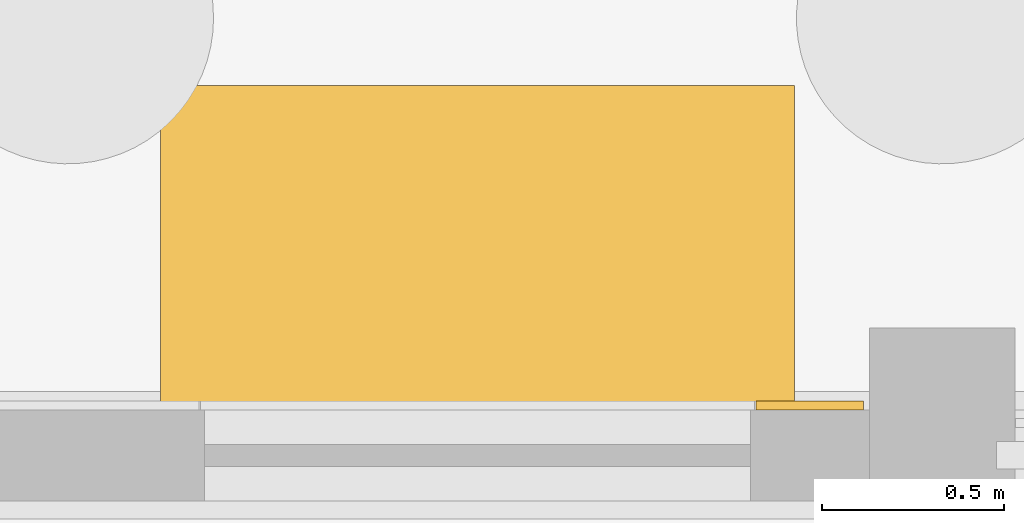
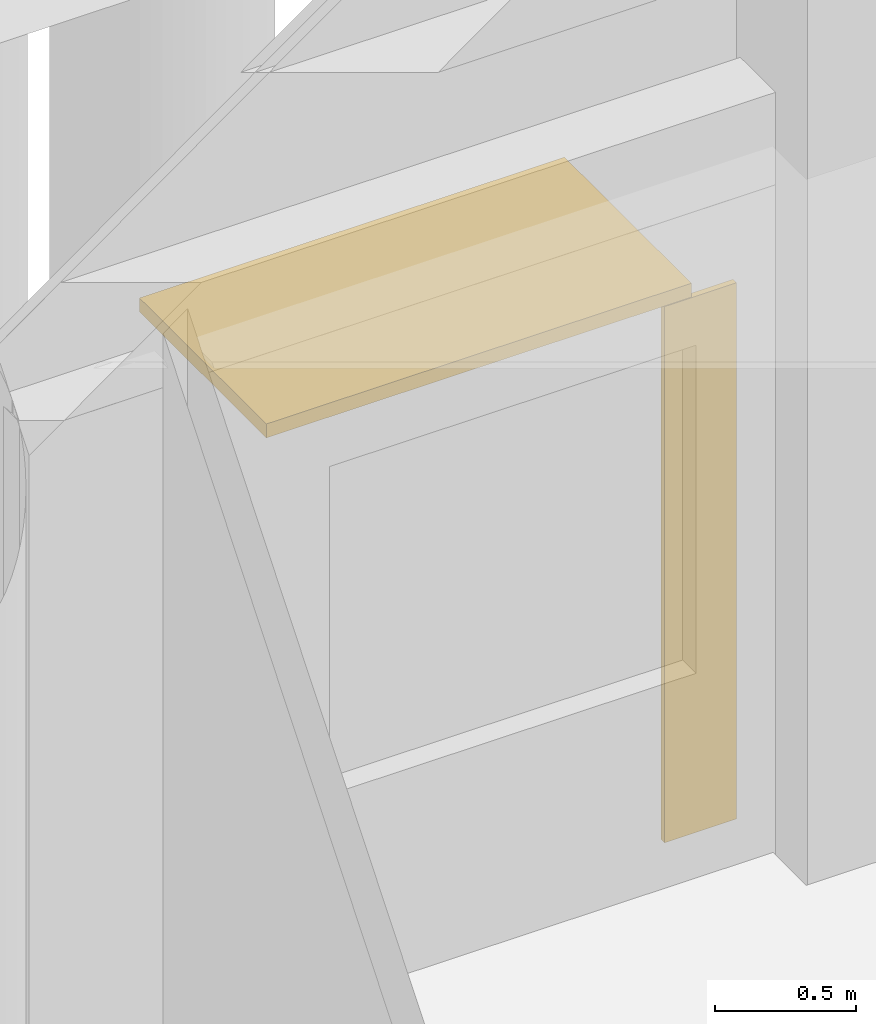
# One storey, part 92 of 103: 1 covering, 1 shading device.
"""IFC4 building model written with IfcOpenShell, lengths in metres."""

from ifc_helpers import new_model, si_unit, direction, frame, origin, origin_2d, place, context, subcontext, project, spatial, rectangle, extrude, material, layer, layer_set, type_object, element, save


model = new_model("IFC4")

# Units and contexts
model_context = context("Model", 3, precision=1e-05, world=origin(), true_north=direction((0.0, 1.0)))
body_context = subcontext(model_context, "Body", "Model", "MODEL_VIEW")
ifc_project = project(units=[si_unit("LENGTHUNIT", "METRE"), si_unit("AREAUNIT", "SQUARE_METRE"), si_unit("VOLUMEUNIT", "CUBIC_METRE"), si_unit("PLANEANGLEUNIT", "RADIAN"), si_unit("MASSUNIT", "GRAM", prefix="KILO")], contexts=[model_context])

# Site, building, storey
site_placement = place(None, origin())
site = spatial("IfcSite", under=ifc_project, at=site_placement, CompositionType="ELEMENT")
building_placement = place(site_placement, origin())
building = spatial("IfcBuilding", under=site, at=building_placement, Name="Namkhue Oval Health Centre", CompositionType="ELEMENT")
storey_placement = place(building_placement, origin())
storey = spatial("IfcBuildingStorey", under=building, at=storey_placement, Name="L00", CompositionType="ELEMENT", Elevation=0.0)

# Shading device
ifc_material_1 = material(Name="Anodised aluminium EN AW-6063 T6", Category="aluminium")
ifc_layer_1 = layer(ifc_material_1, 0.06005859375)
ifc_layer_set_1 = layer_set([ifc_layer_1], Name="Anodised aluminium EN AW-6063 T6")
shading_device_type = type_object("IfcShadingDeviceType", Name="MONSOON SUN LOUVRE 900", PredefinedType="JALOUSIE", material=ifc_layer_set_1)
shading_device_placement = place(storey_placement, frame((67.12451171875, 104.965087890625, 2.340087890625), z_axis=(0.0, 0.0, 1.0), x_axis=(-1.0, 0.0, 0.0)))
element("IfcShadingDevice", 1, at=shading_device_placement, inside=storey, type_object=shading_device_type, Name="Volume V2 L00 Window Monsoon Louvre 52", PredefinedType="JALOUSIE", context=body_context, shape_type="SweptSolid", body=[
    extrude(rectangle(XDim=1.739990234375, YDim=0.89990234375, at=origin_2d()), origin(), (0.0, 0.0, 1.0), 0.06005859375),
])

# Covering
ifc_material_2 = material(Name="White glass-fibre reinforced concrete GRC rainscreen cladding", Category="concrete")
ifc_layer_2 = layer(ifc_material_2, 0.02490234375)
ifc_layer_set_2 = layer_set([ifc_layer_2], Name="White glass-fibre reinforced concrete GRC rainscreen cladding")
covering_type = type_object("IfcCoveringType", Name="WHITE GRC RAINSCREEN CLADDING 25", PredefinedType="CLADDING", material=ifc_layer_set_2)
covering_placement = place(storey_placement, frame((68.03662109375, 104.537109375, 0.009765625), z_axis=(0.0, 0.0, 1.0), x_axis=(-1.0, 0.0, 0.0)))
element("IfcCovering", 2, at=covering_placement, inside=storey, type_object=covering_type, Name="Volume V2 L00 Facade 24 White GRC Cladding 2", PredefinedType="CLADDING", context=body_context, shape_type="SweptSolid", body=[
    extrude(rectangle(XDim=0.29443359375, YDim=0.02490234375, at=origin_2d()), origin(), (0.0, 0.0, 1.0), 2.320068359375),
])

save(model, "model.ifc")
